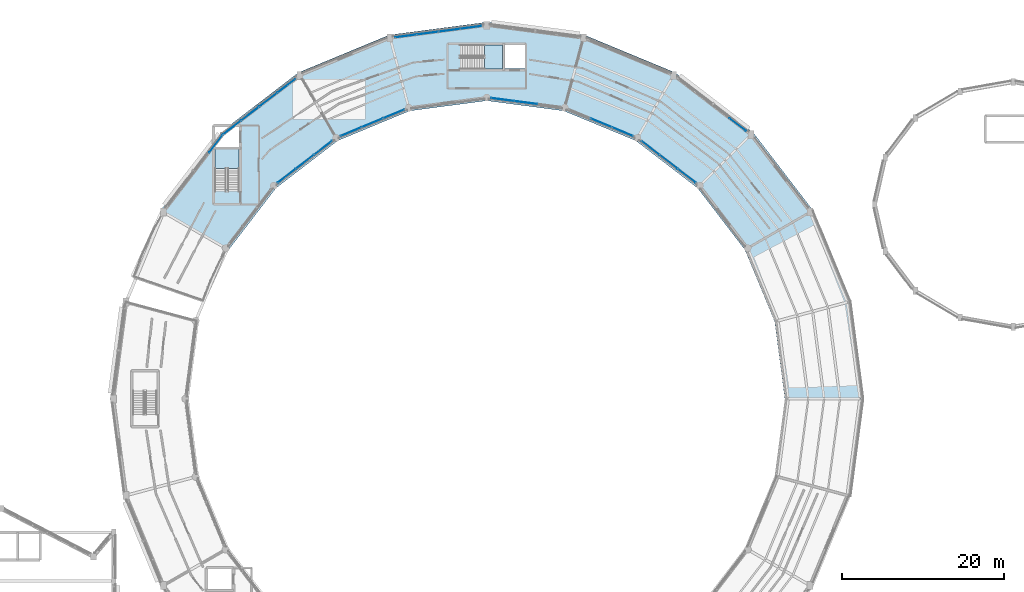
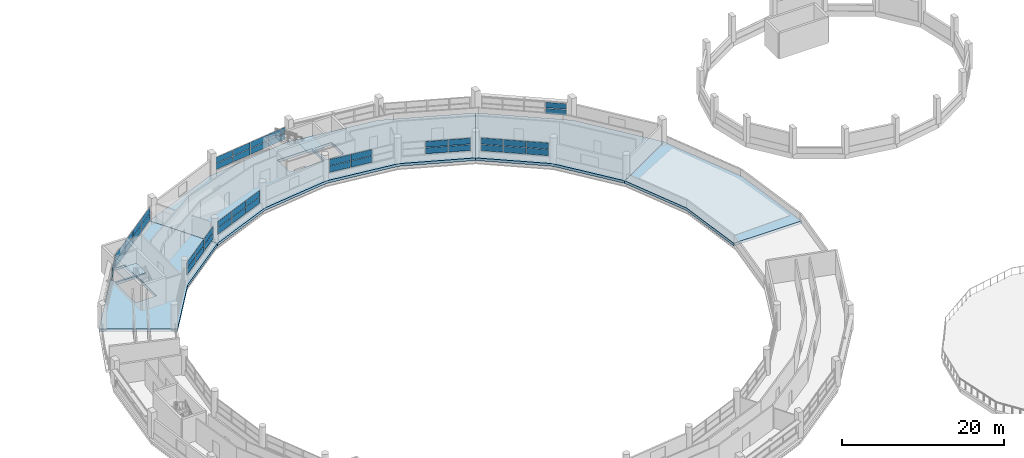
# One storey, part 87 of 108: 46 plates, 6 slabs, 11 elements without a shape of their own.
"""IFC4 building model written with IfcOpenShell, lengths in metres."""

import ifcopenshell
import ifcopenshell.guid

model = None  # the IFC model being written
_history = None  # IfcOwnerHistory: only IFC2X3 demands one
_inside = {}  # id of a spatial element -> (the spatial element, [elements in it])
_under = {}  # id of a project, library or spatial element -> (it, [spatial elements below it])
_declared = {}  # id of a project -> (the project, [libraries it declares])
_typed = {}  # id of a type object -> (the type object, [elements of that type])
_made_of = {}  # id of a material, layer set ... -> (it, [elements and type objects made of it])


def new_model(schema):
    """Start an empty IFC model of exactly this schema.

    Asked for "IFC4X3", IfcOpenShell would pick the latest addendum, in which some entities
    have other attributes; the version numbers below select the first issue.
    IFC2X3 requires an IfcOwnerHistory on every rooted entity: one is made here for all.
    """
    global model, _history
    if schema == "IFC4X3":
        model = ifcopenshell.file(schema_version=(4, 3, 0, 0))
    else:
        model = ifcopenshell.file(schema=schema)
    _inside.clear()
    _under.clear()
    _declared.clear()
    _typed.clear()
    _made_of.clear()
    _history = None
    if model.schema == "IFC2X3":
        org = make("IfcOrganization", Name="unknown")
        user = make(
            "IfcPersonAndOrganization",
            ThePerson=make("IfcPerson", FamilyName="unknown"),
            TheOrganization=org,
        )
        app = make(
            "IfcApplication",
            ApplicationDeveloper=org,
            Version="unknown",
            ApplicationFullName="unknown",
            ApplicationIdentifier="unknown",
        )
        _history = make(
            "IfcOwnerHistory",
            OwningUser=user,
            OwningApplication=app,
            ChangeAction="ADDED",
            CreationDate=0,
        )
    return model


def make(cls, **values):
    """One entity of the class cls with the attributes given. An attribute that is None is left unset."""
    return model.create_entity(
        cls, **{name: value for name, value in values.items() if value is not None}
    )


def rooted(cls, **values):
    """An entity with a GlobalId (a new one), such as an element, a storey or a relation."""
    return make(cls, GlobalId=ifcopenshell.guid.new(), OwnerHistory=_history, **values)


def si_unit(unit_type, name, prefix=None):
    """IfcSIUnit, for example si_unit("LENGTHUNIT", "METRE", prefix="MILLI")."""
    return make("IfcSIUnit", UnitType=unit_type, Prefix=prefix, Name=name)


def assignment(units):
    """IfcUnitAssignment: the units of a project."""
    return None if units is None else make("IfcUnitAssignment", Units=units)


def point(xyz):
    """IfcCartesianPoint."""
    return None if xyz is None else make("IfcCartesianPoint", Coordinates=xyz)


def direction(xyz):
    """IfcDirection."""
    return None if xyz is None else make("IfcDirection", DirectionRatios=xyz)


def frame(location, z_axis=None, x_axis=None):
    """IfcAxis2Placement3D, a coordinate frame: its origin and axes. An axis left out is left unset."""
    return make(
        "IfcAxis2Placement3D",
        Location=point(location),
        Axis=direction(z_axis),
        RefDirection=direction(x_axis),
    )


def frame_2d(location, x_axis=None):
    """IfcAxis2Placement2D, a coordinate frame in the plane: its origin and x axis."""
    return make(
        "IfcAxis2Placement2D", Location=point(location), RefDirection=direction(x_axis)
    )


def origin():
    """The frame at (0, 0, 0) with its axes left unset."""
    return frame((0.0, 0.0, 0.0))


def origin_2d():
    """The frame at (0, 0) in the plane with its x axis left unset."""
    return frame_2d((0.0, 0.0))


def place(relative_to, where):
    """IfcLocalPlacement: puts the frame where relative to a parent placement (None: the world)."""
    return make(
        "IfcLocalPlacement", PlacementRelTo=relative_to, RelativePlacement=where
    )


def context(
    kind, dimensions, precision=None, world=None, true_north=None, identifier=None
):
    """IfcGeometricRepresentationContext, for example the 3D "Model" context."""
    return make(
        "IfcGeometricRepresentationContext",
        ContextIdentifier=identifier,
        ContextType=kind,
        CoordinateSpaceDimension=dimensions,
        Precision=precision,
        WorldCoordinateSystem=world,
        TrueNorth=true_north,
    )


def subcontext(parent, identifier, kind, view, scale=None):
    """IfcGeometricRepresentationSubContext, for example "Body" below "Model"."""
    return make(
        "IfcGeometricRepresentationSubContext",
        ContextIdentifier=identifier,
        ContextType=kind,
        ParentContext=parent,
        TargetScale=scale,
        TargetView=view,
    )


def project(units=None, contexts=None):
    """IfcProject with its units and contexts."""
    return rooted(
        "IfcProject",
        Name="project",
        RepresentationContexts=contexts,
        UnitsInContext=assignment(units),
    )


def spatial(cls, under=None, at=None, **own):
    """A site, building, storey or space (cls), placed at a placement, below another one or the project."""
    s = rooted(cls, ObjectPlacement=at, **own)
    if under is not None:
        _under.setdefault(under.id(), (under, []))[1].append(s)
    return s


def polyline(points):
    """IfcPolyline through the points."""
    return make("IfcPolyline", Points=[point(p) for p in points])


def profile(cls, at=None, kind="AREA", **sizes):
    """A parametric profile (cls). Its sizes go by their IFC names, for example OverallWidth=200.0."""
    return make(cls, ProfileType=kind, Position=at, **sizes)


def rectangle(**sizes):
    """IfcRectangleProfileDef."""
    return profile("IfcRectangleProfileDef", **sizes)


def outline(outer, holes=None, kind="AREA"):
    """IfcArbitraryClosedProfileDef: a profile drawn as a closed curve; with holes, ...WithVoids."""
    if holes is None:
        return make("IfcArbitraryClosedProfileDef", ProfileType=kind, OuterCurve=outer)
    return make(
        "IfcArbitraryProfileDefWithVoids",
        ProfileType=kind,
        OuterCurve=outer,
        InnerCurves=holes,
    )


def extrude(swept, where, along, depth):
    """IfcExtrudedAreaSolid: the profile swept, set in the frame where, extruded along a direction by depth."""
    return make(
        "IfcExtrudedAreaSolid",
        SweptArea=swept,
        Position=where,
        ExtrudedDirection=direction(along),
        Depth=depth,
    )


def shape(context_of_items, identifier, shape_type, items):
    """IfcShapeRepresentation: the items that make up one representation, for example the "Body"."""
    return make(
        "IfcShapeRepresentation",
        ContextOfItems=context_of_items,
        RepresentationIdentifier=identifier,
        RepresentationType=shape_type,
        Items=items,
    )


def material(Name=None, Category=None):
    """IfcMaterial."""
    return make("IfcMaterial", Name=Name, Category=Category)


def layer(
    of_material, thickness, ventilated=None, Name=None, Category=None, Priority=None
):
    """IfcMaterialLayer: one layer of a wall or slab, of a material (None: an air gap)."""
    return make(
        "IfcMaterialLayer",
        Material=of_material,
        LayerThickness=thickness,
        IsVentilated=ventilated,
        Name=Name,
        Category=Category,
        Priority=Priority,
    )


def layer_set(layers, Name=None):
    """IfcMaterialLayerSet."""
    return make("IfcMaterialLayerSet", MaterialLayers=layers, LayerSetName=Name)


def made_of(thing, what):
    """Note that an element or type object is made of a material, layer set ...; save() writes the relation."""
    if what is not None:
        _made_of.setdefault(what.id(), (what, []))[1].append(thing)
    return thing


def type_object(cls, material=None, **own):
    """A type object (cls), such as IfcWallType, which elements share."""
    return made_of(rooted(cls, **own), material)


def element(
    cls,
    number,
    at=None,
    inside=None,
    cuts=None,
    type_object=None,
    material=None,
    context=None,
    identifier="Body",
    shape_type=None,
    held_by="IfcProductDefinitionShape",
    body=None,
    shapes=None,
    **own,
):
    """One element of the class cls, such as IfcWall. Its Tag is "e" and its number.

    at: its placement. inside: the storey or other place that contains it. cuts: it is an
    opening in that element (IfcRelVoidsElement). A single representation is given by context,
    identifier, shape_type and body (its items); several are given by shapes. held_by: the class
    of the entity that holds the representations. save() writes the other relations.
    """
    e = rooted(cls, Tag="e%d" % number, ObjectPlacement=at, **own)
    if body is not None:
        shapes = [shape(context, identifier, shape_type, body)]
    if shapes is not None:
        e.Representation = make(held_by, Representations=shapes)
    if inside is not None:
        _inside.setdefault(inside.id(), (inside, []))[1].append(e)
    if cuts is not None:
        rooted(
            "IfcRelVoidsElement", RelatingBuildingElement=cuts, RelatedOpeningElement=e
        )
    if type_object is not None:
        _typed.setdefault(type_object.id(), (type_object, []))[1].append(e)
    return made_of(e, material)


def aggregate(whole, parts):
    """IfcRelAggregates: a whole, such as a stair, and the parts it consists of."""
    return rooted("IfcRelAggregates", RelatingObject=whole, RelatedObjects=parts)


def save(model, path):
    """Write the relations noted so far, then the file.

    IfcRelAggregates (storeys below a building ...), IfcRelContainedInSpatialStructure (elements
    in a storey), IfcRelDefinesByType, IfcRelAssociatesMaterial and IfcRelDeclares: one each for
    every whole, place, type object, material and project.
    """
    for whole, parts in _under.values():
        aggregate(whole, parts)
    for where, things in _inside.values():
        rooted(
            "IfcRelContainedInSpatialStructure",
            RelatedElements=things,
            RelatingStructure=where,
        )
    for kind, things in _typed.values():
        rooted("IfcRelDefinesByType", RelatedObjects=things, RelatingType=kind)
    for what, things in _made_of.values():
        rooted("IfcRelAssociatesMaterial", RelatedObjects=things, RelatingMaterial=what)
    for by, libraries in _declared.values():
        rooted("IfcRelDeclares", RelatingContext=by, RelatedDefinitions=libraries)
    model.write(path)


model = new_model("IFC4")

# Units and contexts
model_context = context("Model", 3, precision=1e-05, world=origin(), true_north=direction((0.0, 1.0)))
body_context = subcontext(model_context, "Body", "Model", "MODEL_VIEW")
ifc_project = project(units=[si_unit("LENGTHUNIT", "METRE"), si_unit("AREAUNIT", "SQUARE_METRE"), si_unit("VOLUMEUNIT", "CUBIC_METRE"), si_unit("PLANEANGLEUNIT", "RADIAN"), si_unit("MASSUNIT", "GRAM", prefix="KILO")], contexts=[model_context])

# Site, building, storey
site_placement = place(None, origin())
site = spatial("IfcSite", under=ifc_project, at=site_placement, CompositionType="ELEMENT")
building_placement = place(site_placement, origin())
building = spatial("IfcBuilding", under=site, at=building_placement, Name="Vespera Passage Community Centre", CompositionType="ELEMENT")
storey_placement = place(building_placement, frame((0.0, 0.0, 12.60009765625)))
storey = spatial("IfcBuildingStorey", under=building, at=storey_placement, Name="L03", CompositionType="ELEMENT", Elevation=12.60009765625)

# Curtain wall, plates
ifc_material_1 = material(Name="Anodized aluminium 6063-T6", Category="aluminium")
ifc_layer_1 = layer(ifc_material_1, 0.159912109375)
ifc_layer_set_1 = layer_set([ifc_layer_1], Name="Anodized aluminium 6063-T6")
curtain_wall_type_1 = type_object("IfcCurtainWallType", Name="CW-37E", PredefinedType="NOTDEFINED", material=ifc_layer_set_1)
curtain_wall_1_placement = place(storey_placement, origin())
curtain_wall_1 = element("IfcCurtainWall", 1, at=curtain_wall_1_placement, inside=storey, type_object=curtain_wall_type_1, Name="V4 L03 Outer Ribbon Curtain Wall 3", PredefinedType="NOTDEFINED")
ifc_material_2 = material(Name="Low-E insulated vision glass", Category="glass")
ifc_layer_2 = layer(ifc_material_2, 0.02001953125)
ifc_layer_set_2 = layer_set([ifc_layer_2], Name="Low-E insulated vision glass")
plate_type_1 = type_object("IfcPlateType", Name="PL-CWP-20E", PredefinedType="CURTAIN_PANEL", material=ifc_layer_set_2)
plate_1_placement = place(storey_placement, frame((108.982177734375, 99.337158203125, 0.919921875), z_axis=(0.0, 0.0, 1.0), x_axis=(0.793345363065, -0.608771824991, 0.0)))
plate_1 = element("IfcPlate", 2, at=plate_1_placement, type_object=plate_type_1, Name="CW-37E panel 4.1", PredefinedType="CURTAIN_PANEL", context=body_context, shape_type="SweptSolid", body=[
    extrude(rectangle(XDim=2.5673828125, YDim=0.02001953125, at=origin_2d()), origin(), (0.0, 0.0, 1.0), 0.832763671875),
])
plate_2_placement = place(storey_placement, frame((108.982177734375, 99.337158203125, 1.8525390625), z_axis=(0.0, 0.0, 1.0), x_axis=(0.793345363065, -0.608771824991, 0.0)))
plate_2 = element("IfcPlate", 3, at=plate_2_placement, type_object=plate_type_1, Name="CW-37E panel 4.2", PredefinedType="CURTAIN_PANEL", context=body_context, shape_type="SweptSolid", body=[
    extrude(rectangle(XDim=2.5673828125, YDim=0.02001953125, at=origin_2d()), origin(), (0.0, 0.0, 1.0), 0.832763671875),
])
aggregate(curtain_wall_1, [plate_1, plate_2])

ifc_material_3 = material(Name="Anodized aluminium 6063-T6", Category="aluminium")
ifc_layer_3 = layer(ifc_material_3, 0.159912109375)
ifc_layer_set_3 = layer_set([ifc_layer_3], Name="Anodized aluminium 6063-T6")
curtain_wall_type_2 = type_object("IfcCurtainWallType", Name="CW-38E", PredefinedType="NOTDEFINED", material=ifc_layer_set_3)
curtain_wall_2_placement = place(storey_placement, origin())
curtain_wall_2 = element("IfcCurtainWall", 4, at=curtain_wall_2_placement, inside=storey, type_object=curtain_wall_type_2, Name="V4 L03 Inner Court Curtain Wall 3", PredefinedType="NOTDEFINED")
plate_3_placement = place(storey_placement, frame((102.691650390625, 93.041748046875, 0.8798828125), z_axis=(0.0, 0.0, 1.0), x_axis=(-0.793358205999, 0.608755087843, 0.0)))
plate_3 = element("IfcPlate", 5, at=plate_3_placement, type_object=plate_type_1, Name="CW-38E panel 1.1", PredefinedType="CURTAIN_PANEL", context=body_context, shape_type="SweptSolid", body=[
    extrude(rectangle(XDim=2.72900390625, YDim=0.02001953125, at=origin_2d()), origin(), (0.0, 0.0, 1.0), 0.934814453125),
])
plate_4_placement = place(storey_placement, frame((102.691650390625, 93.041748046875, 1.87451171875), z_axis=(0.0, 0.0, 1.0), x_axis=(-0.793358205999, 0.608755087843, 0.0)))
plate_4 = element("IfcPlate", 6, at=plate_4_placement, type_object=plate_type_1, Name="CW-38E panel 1.2", PredefinedType="CURTAIN_PANEL", context=body_context, shape_type="SweptSolid", body=[
    extrude(rectangle(XDim=2.72900390625, YDim=0.02001953125, at=origin_2d()), origin(), (0.0, 0.0, 1.0), 0.934814453125),
])
plate_5_placement = place(storey_placement, frame((100.4521484375, 94.76025390625, 0.8798828125), z_axis=(0.0, 0.0, 1.0), x_axis=(-0.793358205999, 0.608755087843, 0.0)))
plate_5 = element("IfcPlate", 7, at=plate_5_placement, type_object=plate_type_1, Name="CW-38E panel 2.1", PredefinedType="CURTAIN_PANEL", context=body_context, shape_type="SweptSolid", body=[
    extrude(rectangle(XDim=2.7666015625, YDim=0.02001953125, at=origin_2d()), origin(), (0.0, 0.0, 1.0), 0.934814453125),
])
plate_6_placement = place(storey_placement, frame((100.4521484375, 94.76025390625, 1.87451171875), z_axis=(0.0, 0.0, 1.0), x_axis=(-0.793358205999, 0.608755087843, 0.0)))
plate_6 = element("IfcPlate", 8, at=plate_6_placement, type_object=plate_type_1, Name="CW-38E panel 2.2", PredefinedType="CURTAIN_PANEL", context=body_context, shape_type="SweptSolid", body=[
    extrude(rectangle(XDim=2.7666015625, YDim=0.02001953125, at=origin_2d()), origin(), (0.0, 0.0, 1.0), 0.934814453125),
])
plate_7_placement = place(storey_placement, frame((98.212646484375, 96.478759765625, 0.8798828125), z_axis=(0.0, 0.0, 1.0), x_axis=(-0.793358205999, 0.608755087843, 0.0)))
plate_7 = element("IfcPlate", 9, at=plate_7_placement, type_object=plate_type_1, Name="CW-38E panel 3.1", PredefinedType="CURTAIN_PANEL", context=body_context, shape_type="SweptSolid", body=[
    extrude(rectangle(XDim=2.72900390625, YDim=0.02001953125, at=origin_2d()), origin(), (0.0, 0.0, 1.0), 0.934814453125),
])
plate_8_placement = place(storey_placement, frame((98.212646484375, 96.478759765625, 1.87451171875), z_axis=(0.0, 0.0, 1.0), x_axis=(-0.793358205999, 0.608755087843, 0.0)))
plate_8 = element("IfcPlate", 10, at=plate_8_placement, type_object=plate_type_1, Name="CW-38E panel 3.2", PredefinedType="CURTAIN_PANEL", context=body_context, shape_type="SweptSolid", body=[
    extrude(rectangle(XDim=2.72900390625, YDim=0.02001953125, at=origin_2d()), origin(), (0.0, 0.0, 1.0), 0.934814453125),
])
aggregate(curtain_wall_2, [plate_3, plate_4, plate_5, plate_6, plate_7, plate_8])

ifc_material_4 = material(Name="Anodized aluminium 6063-T6", Category="aluminium")
ifc_layer_4 = layer(ifc_material_4, 0.159912109375)
ifc_layer_set_4 = layer_set([ifc_layer_4], Name="Anodized aluminium 6063-T6")
curtain_wall_type_3 = type_object("IfcCurtainWallType", Name="CW-43E", PredefinedType="NOTDEFINED", material=ifc_layer_set_4)
curtain_wall_3_placement = place(storey_placement, origin())
curtain_wall_3 = element("IfcCurtainWall", 11, at=curtain_wall_3_placement, inside=storey, type_object=curtain_wall_type_3, Name="V4 L03 Outer Ribbon Curtain Wall 6", PredefinedType="NOTDEFINED")
plate_9_placement = place(storey_placement, frame((68.01708984375, 110.28564453125, 0.8798828125), z_axis=(0.0, 0.0, 1.0), x_axis=(0.991444252276, 0.130530818696, 0.0)))
plate_9 = element("IfcPlate", 12, at=plate_9_placement, type_object=plate_type_1, Name="CW-43E panel 1.1", PredefinedType="CURTAIN_PANEL", context=body_context, shape_type="SweptSolid", body=[
    extrude(rectangle(XDim=2.614501953125, YDim=0.02001953125, at=origin_2d()), origin(), (0.0, 0.0, 1.0), 0.892822265625),
])
plate_10_placement = place(storey_placement, frame((68.01708984375, 110.28564453125, 1.83251953125), z_axis=(0.0, 0.0, 1.0), x_axis=(0.991444252276, 0.130530818696, 0.0)))
plate_10 = element("IfcPlate", 13, at=plate_10_placement, type_object=plate_type_1, Name="CW-43E panel 1.2", PredefinedType="CURTAIN_PANEL", context=body_context, shape_type="SweptSolid", body=[
    extrude(rectangle(XDim=2.614501953125, YDim=0.02001953125, at=origin_2d()), origin(), (0.0, 0.0, 1.0), 0.892822265625),
])
plate_11_placement = place(storey_placement, frame((70.689697265625, 110.6376953125, 0.8798828125), z_axis=(0.0, 0.0, 1.0), x_axis=(0.991444252276, 0.130530818696, 0.0)))
plate_11 = element("IfcPlate", 14, at=plate_11_placement, type_object=plate_type_1, Name="CW-43E panel 2.1", PredefinedType="CURTAIN_PANEL", context=body_context, shape_type="SweptSolid", body=[
    extrude(rectangle(XDim=2.64697265625, YDim=0.02001953125, at=origin_2d()), origin(), (0.0, 0.0, 1.0), 0.892822265625),
])
plate_12_placement = place(storey_placement, frame((70.689697265625, 110.6376953125, 1.83251953125), z_axis=(0.0, 0.0, 1.0), x_axis=(0.991444252276, 0.130530818696, 0.0)))
plate_12 = element("IfcPlate", 15, at=plate_12_placement, type_object=plate_type_1, Name="CW-43E panel 2.2", PredefinedType="CURTAIN_PANEL", context=body_context, shape_type="SweptSolid", body=[
    extrude(rectangle(XDim=2.64697265625, YDim=0.02001953125, at=origin_2d()), origin(), (0.0, 0.0, 1.0), 0.892822265625),
])
plate_13_placement = place(storey_placement, frame((73.378662109375, 110.99169921875, 0.8798828125), z_axis=(0.0, 0.0, 1.0), x_axis=(0.991444252276, 0.130530818696, 0.0)))
plate_13 = element("IfcPlate", 16, at=plate_13_placement, type_object=plate_type_1, Name="CW-43E panel 3.1", PredefinedType="CURTAIN_PANEL", context=body_context, shape_type="SweptSolid", body=[
    extrude(rectangle(XDim=2.64697265625, YDim=0.02001953125, at=origin_2d()), origin(), (0.0, 0.0, 1.0), 0.892822265625),
])
plate_14_placement = place(storey_placement, frame((73.378662109375, 110.99169921875, 1.83251953125), z_axis=(0.0, 0.0, 1.0), x_axis=(0.991444252276, 0.130530818696, 0.0)))
plate_14 = element("IfcPlate", 17, at=plate_14_placement, type_object=plate_type_1, Name="CW-43E panel 3.2", PredefinedType="CURTAIN_PANEL", context=body_context, shape_type="SweptSolid", body=[
    extrude(rectangle(XDim=2.64697265625, YDim=0.02001953125, at=origin_2d()), origin(), (0.0, 0.0, 1.0), 0.892822265625),
])
plate_15_placement = place(storey_placement, frame((76.05126953125, 111.343505859375, 0.8798828125), z_axis=(0.0, 0.0, 1.0), x_axis=(0.991444252276, 0.130530818696, 0.0)))
plate_15 = element("IfcPlate", 18, at=plate_15_placement, type_object=plate_type_1, Name="CW-43E panel 4.1", PredefinedType="CURTAIN_PANEL", context=body_context, shape_type="SweptSolid", body=[
    extrude(rectangle(XDim=2.614501953125, YDim=0.02001953125, at=origin_2d()), origin(), (0.0, 0.0, 1.0), 0.892822265625),
])
plate_16_placement = place(storey_placement, frame((76.05126953125, 111.343505859375, 1.83251953125), z_axis=(0.0, 0.0, 1.0), x_axis=(0.991444252276, 0.130530818696, 0.0)))
plate_16 = element("IfcPlate", 19, at=plate_16_placement, type_object=plate_type_1, Name="CW-43E panel 4.2", PredefinedType="CURTAIN_PANEL", context=body_context, shape_type="SweptSolid", body=[
    extrude(rectangle(XDim=2.614501953125, YDim=0.02001953125, at=origin_2d()), origin(), (0.0, 0.0, 1.0), 0.892822265625),
])
aggregate(curtain_wall_3, [plate_9, plate_10, plate_11, plate_12, plate_13, plate_14, plate_15, plate_16])

ifc_material_5 = material(Name="Anodized aluminium 6063-T6", Category="aluminium")
ifc_layer_5 = layer(ifc_material_5, 0.159912109375)
ifc_layer_set_5 = layer_set([ifc_layer_5], Name="Anodized aluminium 6063-T6")
curtain_wall_type_4 = type_object("IfcCurtainWallType", Name="CW-46E", PredefinedType="NOTDEFINED", material=ifc_layer_set_5)
curtain_wall_4_placement = place(storey_placement, origin())
curtain_wall_4 = element("IfcCurtainWall", 20, at=curtain_wall_4_placement, inside=storey, type_object=curtain_wall_type_4, Name="V4 L03 Outer Ribbon Curtain Wall 9", PredefinedType="NOTDEFINED")
plate_17_placement = place(storey_placement, frame((44.5400390625, 96.9736328125, 0.919921875), z_axis=(0.0, 0.0, 1.0), x_axis=(0.608765222978, 0.793350429062, 0.0)))
plate_17 = element("IfcPlate", 21, at=plate_17_placement, type_object=plate_type_1, Name="CW-46E panel 4.1", PredefinedType="CURTAIN_PANEL", context=body_context, shape_type="SweptSolid", body=[
    extrude(rectangle(XDim=2.703369140625, YDim=0.02001953125, at=origin_2d()), origin(), (0.0, 0.0, 1.0), 0.832763671875),
])
plate_18_placement = place(storey_placement, frame((44.5400390625, 96.9736328125, 1.8525390625), z_axis=(0.0, 0.0, 1.0), x_axis=(0.608765222978, 0.793350429062, 0.0)))
plate_18 = element("IfcPlate", 22, at=plate_18_placement, type_object=plate_type_1, Name="CW-46E panel 4.2", PredefinedType="CURTAIN_PANEL", context=body_context, shape_type="SweptSolid", body=[
    extrude(rectangle(XDim=2.703369140625, YDim=0.02001953125, at=origin_2d()), origin(), (0.0, 0.0, 1.0), 0.832763671875),
])
aggregate(curtain_wall_4, [plate_17, plate_18])

ifc_material_6 = material(Name="Anodized aluminium 6063-T6", Category="aluminium")
ifc_layer_6 = layer(ifc_material_6, 0.159912109375)
ifc_layer_set_6 = layer_set([ifc_layer_6], Name="Anodized aluminium 6063-T6")
curtain_wall_type_5 = type_object("IfcCurtainWallType", Name="CW-40E", PredefinedType="NOTDEFINED", material=ifc_layer_set_6)
curtain_wall_5_placement = place(storey_placement, origin())
curtain_wall_5 = element("IfcCurtainWall", 23, at=curtain_wall_5_placement, inside=storey, type_object=curtain_wall_type_5, Name="V4 L03 Inner Court Curtain Wall 4", PredefinedType="NOTDEFINED")
ifc_material_7 = material(Name="Low-E insulated vision glass", Category="glass")
ifc_layer_7 = layer(ifc_material_7, 0.028076171875)
ifc_layer_set_7 = layer_set([ifc_layer_7], Name="Low-E insulated vision glass")
plate_type_2 = type_object("IfcPlateType", Name="PL-CWP-28E", PredefinedType="CURTAIN_PANEL", material=ifc_layer_set_7)
plate_19_placement = place(storey_placement, frame((94.7548828125, 98.480224609375, 0.919921875), z_axis=(0.0, 0.0, 1.0), x_axis=(-0.923876620096, 0.382690463482, 0.0)))
plate_19 = element("IfcPlate", 24, at=plate_19_placement, type_object=plate_type_2, Name="CW-40E panel 1.1", PredefinedType="CURTAIN_PANEL", context=body_context, shape_type="SweptSolid", body=[
    extrude(rectangle(XDim=2.7646484375, YDim=0.028076171875, at=origin_2d()), origin(), (0.0, 0.0, 1.0), 0.874755859375),
])
plate_20_placement = place(storey_placement, frame((94.7548828125, 98.480224609375, 1.89453125), z_axis=(0.0, 0.0, 1.0), x_axis=(-0.923876620096, 0.382690463482, 0.0)))
plate_20 = element("IfcPlate", 25, at=plate_20_placement, type_object=plate_type_2, Name="CW-40E panel 1.2", PredefinedType="CURTAIN_PANEL", context=body_context, shape_type="SweptSolid", body=[
    extrude(rectangle(XDim=2.7646484375, YDim=0.028076171875, at=origin_2d()), origin(), (0.0, 0.0, 1.0), 0.874755859375),
])
plate_21_placement = place(storey_placement, frame((92.114013671875, 99.57421875, 0.919921875), z_axis=(0.0, 0.0, 1.0), x_axis=(-0.923876620096, 0.382690463482, 0.0)))
plate_21 = element("IfcPlate", 26, at=plate_21_placement, type_object=plate_type_2, Name="CW-40E panel 2.1", PredefinedType="CURTAIN_PANEL", context=body_context, shape_type="SweptSolid", body=[
    extrude(rectangle(XDim=2.80224609375, YDim=0.028076171875, at=origin_2d()), origin(), (0.0, 0.0, 1.0), 0.874755859375),
])
plate_22_placement = place(storey_placement, frame((92.114013671875, 99.57421875, 1.89453125), z_axis=(0.0, 0.0, 1.0), x_axis=(-0.923876620096, 0.382690463482, 0.0)))
plate_22 = element("IfcPlate", 27, at=plate_22_placement, type_object=plate_type_2, Name="CW-40E panel 2.2", PredefinedType="CURTAIN_PANEL", context=body_context, shape_type="SweptSolid", body=[
    extrude(rectangle(XDim=2.80224609375, YDim=0.028076171875, at=origin_2d()), origin(), (0.0, 0.0, 1.0), 0.874755859375),
])
aggregate(curtain_wall_5, [plate_19, plate_20, plate_21, plate_22])

curtain_wall_6_placement = place(storey_placement, origin())
curtain_wall_6 = element("IfcCurtainWall", 28, at=curtain_wall_6_placement, inside=storey, type_object=curtain_wall_type_5, Name="V4 L03 Inner Court Curtain Wall 7", PredefinedType="NOTDEFINED")
plate_23_placement = place(storey_placement, frame((66.52685546875, 100.668212890625, 0.8798828125), z_axis=(0.0, 0.0, 1.0), x_axis=(-0.923876620096, -0.382690463482, 0.0)))
plate_23 = element("IfcPlate", 29, at=plate_23_placement, type_object=plate_type_2, Name="CW-40E panel 1.1", PredefinedType="CURTAIN_PANEL", context=body_context, shape_type="SweptSolid", body=[
    extrude(rectangle(XDim=2.7646484375, YDim=0.028076171875, at=origin_2d()), origin(), (0.0, 0.0, 1.0), 0.934814453125),
])
plate_24_placement = place(storey_placement, frame((66.52685546875, 100.668212890625, 1.87451171875), z_axis=(0.0, 0.0, 1.0), x_axis=(-0.923876620096, -0.382690463482, 0.0)))
plate_24 = element("IfcPlate", 30, at=plate_24_placement, type_object=plate_type_2, Name="CW-40E panel 1.2", PredefinedType="CURTAIN_PANEL", context=body_context, shape_type="SweptSolid", body=[
    extrude(rectangle(XDim=2.7646484375, YDim=0.028076171875, at=origin_2d()), origin(), (0.0, 0.0, 1.0), 0.934814453125),
])
plate_25_placement = place(storey_placement, frame((63.885986328125, 99.57421875, 0.8798828125), z_axis=(0.0, 0.0, 1.0), x_axis=(-0.923876620096, -0.382690463482, 0.0)))
plate_25 = element("IfcPlate", 31, at=plate_25_placement, type_object=plate_type_2, Name="CW-40E panel 2.1", PredefinedType="CURTAIN_PANEL", context=body_context, shape_type="SweptSolid", body=[
    extrude(rectangle(XDim=2.80224609375, YDim=0.028076171875, at=origin_2d()), origin(), (0.0, 0.0, 1.0), 0.934814453125),
])
plate_26_placement = place(storey_placement, frame((63.885986328125, 99.57421875, 1.87451171875), z_axis=(0.0, 0.0, 1.0), x_axis=(-0.923876620096, -0.382690463482, 0.0)))
plate_26 = element("IfcPlate", 32, at=plate_26_placement, type_object=plate_type_2, Name="CW-40E panel 2.2", PredefinedType="CURTAIN_PANEL", context=body_context, shape_type="SweptSolid", body=[
    extrude(rectangle(XDim=2.80224609375, YDim=0.028076171875, at=origin_2d()), origin(), (0.0, 0.0, 1.0), 0.934814453125),
])
plate_27_placement = place(storey_placement, frame((61.2451171875, 98.480224609375, 0.8798828125), z_axis=(0.0, 0.0, 1.0), x_axis=(-0.923876620096, -0.382690463482, 0.0)))
plate_27 = element("IfcPlate", 33, at=plate_27_placement, type_object=plate_type_2, Name="CW-40E panel 3.1", PredefinedType="CURTAIN_PANEL", context=body_context, shape_type="SweptSolid", body=[
    extrude(rectangle(XDim=2.7646484375, YDim=0.028076171875, at=origin_2d()), origin(), (0.0, 0.0, 1.0), 0.934814453125),
])
plate_28_placement = place(storey_placement, frame((61.2451171875, 98.480224609375, 1.87451171875), z_axis=(0.0, 0.0, 1.0), x_axis=(-0.923876620096, -0.382690463482, 0.0)))
plate_28 = element("IfcPlate", 34, at=plate_28_placement, type_object=plate_type_2, Name="CW-40E panel 3.2", PredefinedType="CURTAIN_PANEL", context=body_context, shape_type="SweptSolid", body=[
    extrude(rectangle(XDim=2.7646484375, YDim=0.028076171875, at=origin_2d()), origin(), (0.0, 0.0, 1.0), 0.934814453125),
])
aggregate(curtain_wall_6, [plate_23, plate_24, plate_25, plate_26, plate_27, plate_28])

ifc_material_8 = material(Name="Anodized aluminium 6063-T6", Category="aluminium")
ifc_layer_8 = layer(ifc_material_8, 0.159912109375)
ifc_layer_set_8 = layer_set([ifc_layer_8], Name="Anodized aluminium 6063-T6")
curtain_wall_type_6 = type_object("IfcCurtainWallType", Name="CW-42E", PredefinedType="NOTDEFINED", material=ifc_layer_set_8)
curtain_wall_7_placement = place(storey_placement, origin())
curtain_wall_7 = element("IfcCurtainWall", 35, at=curtain_wall_7_placement, inside=storey, type_object=curtain_wall_type_6, Name="V4 L03 Inner Court Curtain Wall 5", PredefinedType="NOTDEFINED")
ifc_material_9 = material(Name="Acoustic triple-glazed vision glass", Category="glass")
ifc_layer_9 = layer(ifc_material_9, 0.035888671875)
ifc_layer_set_9 = layer_set([ifc_layer_9], Name="Acoustic triple-glazed vision glass")
plate_type_3 = type_object("IfcPlateType", Name="PL-CWP-36E", PredefinedType="CURTAIN_PANEL", material=ifc_layer_set_9)
plate_29_placement = place(storey_placement, frame((82.81396484375, 102.066162109375, 0.8798828125), z_axis=(0.0, 0.0, 1.0), x_axis=(-0.991445387728, 0.1305221941, 0.0)))
plate_29 = element("IfcPlate", 36, at=plate_29_placement, type_object=plate_type_3, Name="CW-42E panel 2.1", PredefinedType="CURTAIN_PANEL", context=body_context, shape_type="SweptSolid", body=[
    extrude(rectangle(XDim=2.826904296875, YDim=0.035888671875, at=origin_2d()), origin(), (0.0, 0.0, 1.0), 0.934814453125),
])
plate_30_placement = place(storey_placement, frame((82.81396484375, 102.066162109375, 1.87451171875), z_axis=(0.0, 0.0, 1.0), x_axis=(-0.991445387728, 0.1305221941, 0.0)))
plate_30 = element("IfcPlate", 37, at=plate_30_placement, type_object=plate_type_3, Name="CW-42E panel 2.2", PredefinedType="CURTAIN_PANEL", context=body_context, shape_type="SweptSolid", body=[
    extrude(rectangle(XDim=2.826904296875, YDim=0.035888671875, at=origin_2d()), origin(), (0.0, 0.0, 1.0), 0.934814453125),
])
plate_31_placement = place(storey_placement, frame((79.962890625, 102.441650390625, 0.8798828125), z_axis=(0.0, 0.0, 1.0), x_axis=(-0.991445387728, 0.1305221941, 0.0)))
plate_31 = element("IfcPlate", 38, at=plate_31_placement, type_object=plate_type_3, Name="CW-42E panel 3.1", PredefinedType="CURTAIN_PANEL", context=body_context, shape_type="SweptSolid", body=[
    extrude(rectangle(XDim=2.79443359375, YDim=0.035888671875, at=origin_2d()), origin(), (0.0, 0.0, 1.0), 0.934814453125),
])
plate_32_placement = place(storey_placement, frame((79.962890625, 102.441650390625, 1.87451171875), z_axis=(0.0, 0.0, 1.0), x_axis=(-0.991445387728, 0.1305221941, 0.0)))
plate_32 = element("IfcPlate", 39, at=plate_32_placement, type_object=plate_type_3, Name="CW-42E panel 3.2", PredefinedType="CURTAIN_PANEL", context=body_context, shape_type="SweptSolid", body=[
    extrude(rectangle(XDim=2.79443359375, YDim=0.035888671875, at=origin_2d()), origin(), (0.0, 0.0, 1.0), 0.934814453125),
])
aggregate(curtain_wall_7, [plate_29, plate_30, plate_31, plate_32])

ifc_material_10 = material(Name="Anodized aluminium 6063-T6", Category="aluminium")
ifc_layer_10 = layer(ifc_material_10, 0.159912109375)
ifc_layer_set_10 = layer_set([ifc_layer_10], Name="Anodized aluminium 6063-T6")
curtain_wall_type_7 = type_object("IfcCurtainWallType", Name="CW-45E", PredefinedType="NOTDEFINED", material=ifc_layer_set_10)
curtain_wall_8_placement = place(storey_placement, origin())
curtain_wall_8 = element("IfcCurtainWall", 40, at=curtain_wall_8_placement, inside=storey, type_object=curtain_wall_type_7, Name="V4 L03 Inner Court Curtain Wall 8", PredefinedType="NOTDEFINED")
plate_33_placement = place(storey_placement, frame((57.789306640625, 96.480224609375, 0.919921875), z_axis=(0.0, 0.0, 1.0), x_axis=(-0.793358205999, -0.608755087843, 0.0)))
plate_33 = element("IfcPlate", 41, at=plate_33_placement, type_object=plate_type_3, Name="CW-45E panel 1.1", PredefinedType="CURTAIN_PANEL", context=body_context, shape_type="SweptSolid", body=[
    extrude(rectangle(XDim=2.744140625, YDim=0.035888671875, at=origin_2d()), origin(), (0.0, 0.0, 1.0), 0.874755859375),
])
plate_34_placement = place(storey_placement, frame((57.789306640625, 96.480224609375, 1.89453125), z_axis=(0.0, 0.0, 1.0), x_axis=(-0.793358205999, -0.608755087843, 0.0)))
plate_34 = element("IfcPlate", 42, at=plate_34_placement, type_object=plate_type_3, Name="CW-45E panel 1.2", PredefinedType="CURTAIN_PANEL", context=body_context, shape_type="SweptSolid", body=[
    extrude(rectangle(XDim=2.744140625, YDim=0.035888671875, at=origin_2d()), origin(), (0.0, 0.0, 1.0), 0.874755859375),
])
plate_35_placement = place(storey_placement, frame((55.5478515625, 94.76025390625, 0.919921875), z_axis=(0.0, 0.0, 1.0), x_axis=(-0.793358205999, -0.608755087843, 0.0)))
plate_35 = element("IfcPlate", 43, at=plate_35_placement, type_object=plate_type_3, Name="CW-45E panel 2.1", PredefinedType="CURTAIN_PANEL", context=body_context, shape_type="SweptSolid", body=[
    extrude(rectangle(XDim=2.776611328125, YDim=0.035888671875, at=origin_2d()), origin(), (0.0, 0.0, 1.0), 0.874755859375),
])
plate_36_placement = place(storey_placement, frame((55.5478515625, 94.76025390625, 1.89453125), z_axis=(0.0, 0.0, 1.0), x_axis=(-0.793358205999, -0.608755087843, 0.0)))
plate_36 = element("IfcPlate", 44, at=plate_36_placement, type_object=plate_type_3, Name="CW-45E panel 2.2", PredefinedType="CURTAIN_PANEL", context=body_context, shape_type="SweptSolid", body=[
    extrude(rectangle(XDim=2.776611328125, YDim=0.035888671875, at=origin_2d()), origin(), (0.0, 0.0, 1.0), 0.874755859375),
])
plate_37_placement = place(storey_placement, frame((53.306396484375, 93.040283203125, 0.919921875), z_axis=(0.0, 0.0, 1.0), x_axis=(-0.793358205999, -0.608755087843, 0.0)))
plate_37 = element("IfcPlate", 45, at=plate_37_placement, type_object=plate_type_3, Name="CW-45E panel 3.1", PredefinedType="CURTAIN_PANEL", context=body_context, shape_type="SweptSolid", body=[
    extrude(rectangle(XDim=2.744140625, YDim=0.035888671875, at=origin_2d()), origin(), (0.0, 0.0, 1.0), 0.874755859375),
])
plate_38_placement = place(storey_placement, frame((53.306396484375, 93.040283203125, 1.89453125), z_axis=(0.0, 0.0, 1.0), x_axis=(-0.793358205999, -0.608755087843, 0.0)))
plate_38 = element("IfcPlate", 46, at=plate_38_placement, type_object=plate_type_3, Name="CW-45E panel 3.2", PredefinedType="CURTAIN_PANEL", context=body_context, shape_type="SweptSolid", body=[
    extrude(rectangle(XDim=2.744140625, YDim=0.035888671875, at=origin_2d()), origin(), (0.0, 0.0, 1.0), 0.874755859375),
])
aggregate(curtain_wall_8, [plate_33, plate_34, plate_35, plate_36, plate_37, plate_38])

ifc_material_11 = material(Name="Anodized aluminium 6063-T6", Category="aluminium")
ifc_layer_11 = layer(ifc_material_11, 0.159912109375)
ifc_layer_set_11 = layer_set([ifc_layer_11], Name="Anodized aluminium 6063-T6")
curtain_wall_type_8 = type_object("IfcCurtainWallType", Name="CW-44E", PredefinedType="NOTDEFINED", material=ifc_layer_set_11)
curtain_wall_9_placement = place(storey_placement, origin())
curtain_wall_9 = element("IfcCurtainWall", 47, at=curtain_wall_9_placement, inside=storey, type_object=curtain_wall_type_8, Name="V4 L03 Outer Ribbon Curtain Wall 8", PredefinedType="NOTDEFINED")
ifc_material_12 = material(Name="Translucent glass block", Category="glass")
ifc_layer_12 = layer(ifc_material_12, 0.044921875)
ifc_layer_set_12 = layer_set([ifc_layer_12], Name="Translucent glass block")
plate_type_4 = type_object("IfcPlateType", Name="PL-CWP-45E", PredefinedType="CURTAIN_PANEL", material=ifc_layer_set_12)
plate_39_placement = place(storey_placement, frame((46.54248046875, 98.972412109375, 0.8798828125), z_axis=(0.0, 0.0, 1.0), x_axis=(0.793348128169, 0.608768221519, 0.0)))
plate_39 = element("IfcPlate", 48, at=plate_39_placement, type_object=plate_type_4, Name="CW-44E panel 1.1", PredefinedType="CURTAIN_PANEL", context=body_context, shape_type="SweptSolid", body=[
    extrude(rectangle(XDim=2.72412109375, YDim=0.044921875, at=origin_2d()), origin(), (0.0, 0.0, 1.0), 0.892822265625),
])
plate_40_placement = place(storey_placement, frame((46.54248046875, 98.972412109375, 1.83251953125), z_axis=(0.0, 0.0, 1.0), x_axis=(0.793348128169, 0.608768221519, 0.0)))
plate_40 = element("IfcPlate", 49, at=plate_40_placement, type_object=plate_type_4, Name="CW-44E panel 1.2", PredefinedType="CURTAIN_PANEL", context=body_context, shape_type="SweptSolid", body=[
    extrude(rectangle(XDim=2.72412109375, YDim=0.044921875, at=origin_2d()), origin(), (0.0, 0.0, 1.0), 0.892822265625),
])
plate_41_placement = place(storey_placement, frame((48.778076171875, 100.68798828125, 0.8798828125), z_axis=(0.0, 0.0, 1.0), x_axis=(0.793348128169, 0.608768221519, 0.0)))
plate_41 = element("IfcPlate", 50, at=plate_41_placement, type_object=plate_type_4, Name="CW-44E panel 2.1", PredefinedType="CURTAIN_PANEL", context=body_context, shape_type="SweptSolid", body=[
    extrude(rectangle(XDim=2.76171875, YDim=0.044921875, at=origin_2d()), origin(), (0.0, 0.0, 1.0), 0.892822265625),
])
plate_42_placement = place(storey_placement, frame((48.778076171875, 100.68798828125, 1.83251953125), z_axis=(0.0, 0.0, 1.0), x_axis=(0.793348128169, 0.608768221519, 0.0)))
plate_42 = element("IfcPlate", 51, at=plate_42_placement, type_object=plate_type_4, Name="CW-44E panel 2.2", PredefinedType="CURTAIN_PANEL", context=body_context, shape_type="SweptSolid", body=[
    extrude(rectangle(XDim=2.76171875, YDim=0.044921875, at=origin_2d()), origin(), (0.0, 0.0, 1.0), 0.892822265625),
])
plate_43_placement = place(storey_placement, frame((51.028564453125, 102.414794921875, 0.8798828125), z_axis=(0.0, 0.0, 1.0), x_axis=(0.793348128169, 0.608768221519, 0.0)))
plate_43 = element("IfcPlate", 52, at=plate_43_placement, type_object=plate_type_4, Name="CW-44E panel 3.1", PredefinedType="CURTAIN_PANEL", context=body_context, shape_type="SweptSolid", body=[
    extrude(rectangle(XDim=2.76171875, YDim=0.044921875, at=origin_2d()), origin(), (0.0, 0.0, 1.0), 0.892822265625),
])
plate_44_placement = place(storey_placement, frame((51.028564453125, 102.414794921875, 1.83251953125), z_axis=(0.0, 0.0, 1.0), x_axis=(0.793348128169, 0.608768221519, 0.0)))
plate_44 = element("IfcPlate", 53, at=plate_44_placement, type_object=plate_type_4, Name="CW-44E panel 3.2", PredefinedType="CURTAIN_PANEL", context=body_context, shape_type="SweptSolid", body=[
    extrude(rectangle(XDim=2.76171875, YDim=0.044921875, at=origin_2d()), origin(), (0.0, 0.0, 1.0), 0.892822265625),
])
plate_45_placement = place(storey_placement, frame((53.26416015625, 104.13037109375, 0.8798828125), z_axis=(0.0, 0.0, 1.0), x_axis=(0.793348128169, 0.608768221519, 0.0)))
plate_45 = element("IfcPlate", 54, at=plate_45_placement, type_object=plate_type_4, Name="CW-44E panel 4.1", PredefinedType="CURTAIN_PANEL", context=body_context, shape_type="SweptSolid", body=[
    extrude(rectangle(XDim=2.72412109375, YDim=0.044921875, at=origin_2d()), origin(), (0.0, 0.0, 1.0), 0.892822265625),
])
plate_46_placement = place(storey_placement, frame((53.26416015625, 104.13037109375, 1.83251953125), z_axis=(0.0, 0.0, 1.0), x_axis=(0.793348128169, 0.608768221519, 0.0)))
plate_46 = element("IfcPlate", 55, at=plate_46_placement, type_object=plate_type_4, Name="CW-44E panel 4.2", PredefinedType="CURTAIN_PANEL", context=body_context, shape_type="SweptSolid", body=[
    extrude(rectangle(XDim=2.72412109375, YDim=0.044921875, at=origin_2d()), origin(), (0.0, 0.0, 1.0), 0.892822265625),
])
aggregate(curtain_wall_9, [plate_39, plate_40, plate_41, plate_42, plate_43, plate_44, plate_45, plate_46])

# Stair, slab
ifc_material_13 = material(Name="Concrete f'c 35 MPa", Category="concrete")
stair_type_1 = type_object("IfcStairType", Name="ST-T03", PredefinedType="HALF_TURN_STAIR", material=ifc_material_13)
stair_1_placement = place(storey_placement, origin())
stair_1 = element("IfcStair", 56, at=stair_1_placement, inside=storey, type_object=stair_type_1, Name="L03 Core C1 Exit Stair ST03", PredefinedType="HALF_TURN_STAIR")
ifc_material_14 = material(Name="Concrete f'c 35 MPa", Category="concrete")
ifc_layer_13 = layer(ifc_material_14, 0.199951171875)
ifc_layer_set_13 = layer_set([ifc_layer_13], Name="Concrete f'c 35 MPa")
slab_type_1 = type_object("IfcSlabType", Name="SL-LAND-200I", PredefinedType="LANDING", material=ifc_layer_set_13)
slab_1_placement = place(storey_placement, frame((0.0, 0.0, 1.75)))
slab_1 = element("IfcSlab", 57, at=slab_1_placement, type_object=slab_type_1, Name="ST03 landing 1", PredefinedType="LANDING", context=body_context, shape_type="SweptSolid", body=[
    extrude(outline(polyline([(47.43310546875, 93.927978515625), (47.43310546875, 96.327880859375), (44.43310546875, 96.327880859375), (44.43310546875, 93.927978515625), (47.43310546875, 93.927978515625)])), origin(), (0.0, 0.0, 1.0), 0.199951171875),
])
aggregate(stair_1, [slab_1])

ifc_material_15 = material(Name="Concrete f'c 35 MPa", Category="concrete")
stair_type_2 = type_object("IfcStairType", Name="ST-T12", PredefinedType="HALF_TURN_STAIR", material=ifc_material_15)
stair_2_placement = place(storey_placement, origin())
stair_2 = element("IfcStair", 58, at=stair_2_placement, inside=storey, type_object=stair_type_2, Name="L03 Core C4 Exit Stair ST06", PredefinedType="HALF_TURN_STAIR")
slab_2_placement = place(storey_placement, frame((0.0, 0.0, 1.75)))
slab_2 = element("IfcSlab", 59, at=slab_2_placement, type_object=slab_type_1, Name="ST06 landing 1", PredefinedType="LANDING", context=body_context, shape_type="SweptSolid", body=[
    extrude(outline(polyline([(77.705078125, 106.199951171875), (79.955078125, 106.199951171875), (79.955078125, 109.199951171875), (77.705078125, 109.199951171875), (77.705078125, 106.199951171875)])), origin(), (0.0, 0.0, 1.0), 0.199951171875),
])
aggregate(stair_2, [slab_2])

# Slabs
ifc_material_16 = material(Name="Concrete f'c 45 MPa", Category="concrete")
ifc_layer_14 = layer(ifc_material_16, 0.39990234375)
ifc_layer_set_14 = layer_set([ifc_layer_14], Name="Concrete f'c 45 MPa")
slab_type_2 = type_object("IfcSlabType", Name="SL-TROOF-400E", PredefinedType="ROOF", material=ifc_layer_set_14)
slab_3_placement = place(storey_placement, frame((0.0, 0.0, -0.400146484375)))
element("IfcSlab", 60, at=slab_3_placement, inside=storey, type_object=slab_type_2, Name="V4 L03 East Step Roof Slab", PredefinedType="ROOF", context=body_context, shape_type="SweptSolid", body=[
    extrude(outline(polyline([(124.5, 65.5), (122.91552734375, 77.53515625), (118.270263671875, 88.75), (109.86962890625, 83.89990234375), (113.546142578125, 75.0244140625), (114.800048828125, 65.5), (124.5, 65.5)])), origin(), (0.0, 0.0, 1.0), 0.400146484375),
])
ifc_material_17 = material(Name="Concrete f'c 45 MPa", Category="concrete")
ifc_layer_15 = layer(ifc_material_17, 0.39990234375)
ifc_layer_set_15 = layer_set([ifc_layer_15], Name="Concrete f'c 45 MPa")
slab_type_3 = type_object("IfcSlabType", Name="SL-XFER-400", PredefinedType="FLOOR", material=ifc_layer_set_15)
slab_4_placement = place(storey_placement, frame((0.0, 0.0, -0.400146484375)))
element("IfcSlab", 61, at=slab_4_placement, inside=storey, type_object=slab_type_3, Name="V4 L03 Annular Sector 1 Slab", PredefinedType="FLOOR", context=body_context, shape_type="SweptSolid", body=[
    extrude(outline(polyline([(118.270263671875, 88.75), (110.880615234375, 98.380615234375), (101.25, 105.770263671875), (96.39990234375, 97.36962890625), (104.021484375, 91.521484375), (109.86962890625, 83.89990234375), (118.270263671875, 88.75)])), origin(), (0.0, 0.0, 1.0), 0.400146484375),
])
slab_5_placement = place(storey_placement, frame((0.0, 0.0, -0.400146484375)))
element("IfcSlab", 62, at=slab_5_placement, inside=storey, type_object=slab_type_3, Name="V4 L03 Annular Sector 2 Slab", PredefinedType="FLOOR", context=body_context, shape_type="SweptSolid", body=[
    extrude(outline(polyline([(87.5244140625, 101.046142578125), (78.0, 102.300048828125), (68.4755859375, 101.046142578125), (59.60009765625, 97.36962890625), (54.75, 105.770263671875), (65.96484375, 110.41552734375), (78.0, 112.0), (90.03515625, 110.41552734375), (101.25, 105.770263671875), (96.39990234375, 97.36962890625), (87.5244140625, 101.046142578125)]), holes=[polyline([(79.955078125, 109.199951171875), (74.985107421875, 109.199951171875), (74.985107421875, 106.199951171875), (79.955078125, 106.199951171875), (79.955078125, 109.199951171875)]), polyline([(82.695068359375, 106.25), (82.695068359375, 109.14990234375), (80.195068359375, 109.14990234375), (80.195068359375, 106.25), (82.695068359375, 106.25)])]), origin(), (0.0, 0.0, 1.0), 0.400146484375),
])
slab_6_placement = place(storey_placement, frame((0.0, 0.0, -0.400146484375)))
element("IfcSlab", 63, at=slab_6_placement, inside=storey, type_object=slab_type_3, Name="V4 L03 Annular Sector 3 Slab", PredefinedType="FLOOR", context=body_context, shape_type="SweptSolid", body=[
    extrude(outline(polyline([(51.978515625, 91.521484375), (46.13037109375, 83.89990234375), (37.729736328125, 88.75), (44.48291015625, 97.551025390625), (44.48291015625, 96.568115234375), (47.383056640625, 96.568115234375), (47.383056640625, 99.068115234375), (46.015380859375, 99.068115234375), (54.75, 105.770263671875), (59.60009765625, 97.36962890625), (51.978515625, 91.521484375)]), holes=[polyline([(44.43310546875, 96.327880859375), (44.43310546875, 91.35791015625), (47.43310546875, 91.35791015625), (47.43310546875, 96.327880859375), (44.43310546875, 96.327880859375)])]), origin(), (0.0, 0.0, 1.0), 0.400146484375),
])

save(model, "model.ifc")
